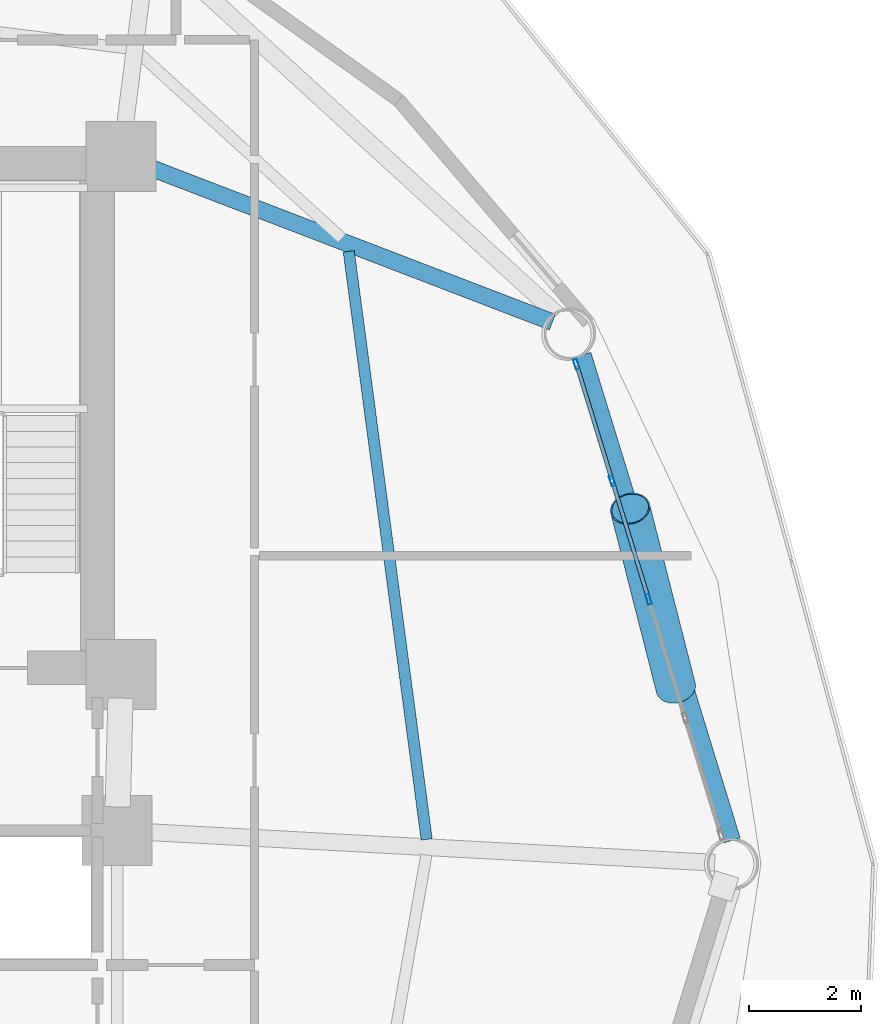
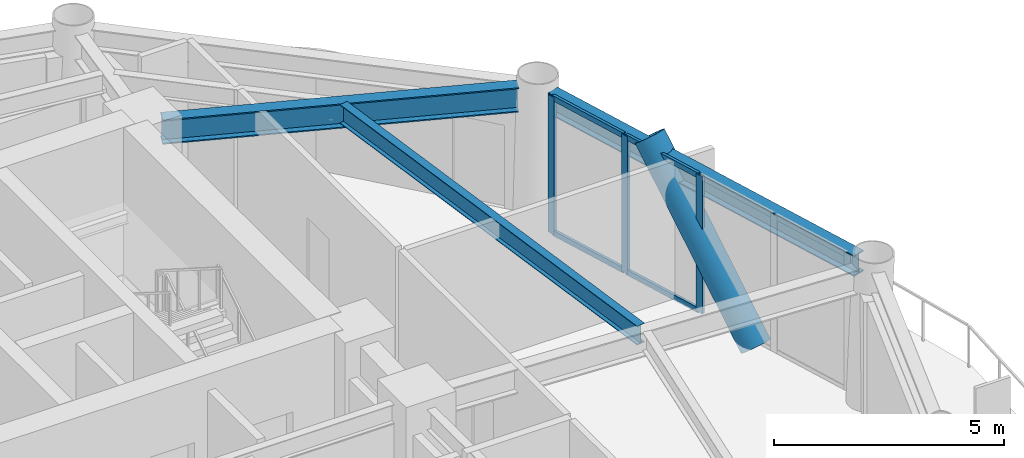
# One storey, part 15 of 24: 8 members, 3 beams, 1 element without a shape of its own.
"""IFC4 building model written with IfcOpenShell, lengths in metres."""

from ifc_helpers import new_model, si_unit, direction, frame, origin, origin_2d, place, context, subcontext, project, spatial, hollow_rectangle, hollow_circle, i_section, extrude, material, layer, layer_set, material_profile, profile_set, type_object, element, aggregate, save


model = new_model("IFC4")

# Units and contexts
model_context = context("Model", 3, precision=1e-05, world=origin(), true_north=direction((0.0, 1.0)))
body_context = subcontext(model_context, "Body", "Model", "MODEL_VIEW")
ifc_project = project(units=[si_unit("LENGTHUNIT", "METRE"), si_unit("AREAUNIT", "SQUARE_METRE"), si_unit("VOLUMEUNIT", "CUBIC_METRE"), si_unit("PLANEANGLEUNIT", "RADIAN"), si_unit("MASSUNIT", "GRAM", prefix="KILO")], contexts=[model_context])

# Site, building, storey
site_placement = place(None, origin())
site = spatial("IfcSite", under=ifc_project, at=site_placement, CompositionType="ELEMENT")
building_placement = place(site_placement, origin())
building = spatial("IfcBuilding", under=site, at=building_placement, Name="Varnakorn Sky Granary", CompositionType="ELEMENT")
storey_placement = place(building_placement, frame((0.0, 0.0, 43.199951171875)))
storey = spatial("IfcBuildingStorey", under=building, at=storey_placement, Name="L10", CompositionType="ELEMENT", Elevation=43.199951171875)

# Beams
ifc_material_1 = material(Name="Steel S355JR", Category="steel")
ifc_material_profile_1 = material_profile(ifc_material_1, i_section(OverallWidth=0.300048828125, OverallDepth=0.64990234375, WebThickness=0.01611328125, FlangeThickness=0.031005859375, at=origin_2d()), Name="HE 650 B")
ifc_profile_set_1 = profile_set([ifc_material_profile_1], Name="Steel S355JR")
beam_type_1 = type_object("IfcBeamType", Name="BM-RAD-Z1", PredefinedType="BEAM", material=ifc_profile_set_1)
beam_1_placement = place(storey_placement, frame((8.81201171875, 12.469482421875, 3.31494140625), z_axis=(0.933555418605, -0.358433090539, 0.0), x_axis=(0.358433090539, 0.933555418605, 0.0)))
element("IfcBeam", 1, at=beam_1_placement, inside=storey, type_object=beam_type_1, Name="Radial Floor Girder RG02 L10", PredefinedType="BEAM", context=body_context, shape_type="SweptSolid", body=[
    extrude(i_section(OverallWidth=0.300048828125, OverallDepth=0.64990234375, WebThickness=0.01611328125, FlangeThickness=0.031005859375, at=origin_2d()), origin(), (0.0, 0.0, 1.0), 7.821533203125),
])
ifc_material_profile_2 = material_profile(ifc_material_1, i_section(OverallWidth=0.199951171875, OverallDepth=0.5, WebThickness=0.01025390625, FlangeThickness=0.01611328125, at=origin_2d()), Name="IPE 500")
ifc_profile_set_2 = profile_set([ifc_material_profile_2], Name="Steel S355JR")
beam_type_2 = type_object("IfcBeamType", Name="BM-SEC-Z1", PredefinedType="BEAM", material=ifc_profile_set_2)
beam_2_placement = place(storey_placement, frame((13.87060546875, 0.439453125, 3.39013671875), z_axis=(-0.131309759975, 0.991341387684, 0.0), x_axis=(-0.991341387684, -0.131309759975, 0.0)))
element("IfcBeam", 2, at=beam_2_placement, inside=storey, type_object=beam_type_2, Name="Secondary Floor Chord Beam MSB01 L10", PredefinedType="BEAM", context=body_context, shape_type="SweptSolid", body=[
    extrude(i_section(OverallWidth=0.199951171875, OverallDepth=0.5, WebThickness=0.01025390625, FlangeThickness=0.01611328125, at=origin_2d()), origin(), (0.0, 0.0, 1.0), 10.5810546875),
])
ifc_material_profile_3 = material_profile(ifc_material_1, i_section(OverallWidth=0.300048828125, OverallDepth=0.550048828125, WebThickness=0.014892578125, FlangeThickness=0.029052734375, at=origin_2d()), Name="HE 550 B")
ifc_profile_set_3 = profile_set([ifc_material_profile_3], Name="Steel S355JR")
beam_type_3 = type_object("IfcBeamType", Name="BM-SPD-Z1", PredefinedType="SPANDREL", material=ifc_profile_set_3)
beam_3_placement = place(storey_placement, frame((19.320068359375, 0.422607421875, 3.364990234375), z_axis=(-0.293932510613, 0.95582617625, 0.0), x_axis=(-0.95582617625, -0.293932510613, 0.0)))
element("IfcBeam", 3, at=beam_3_placement, inside=storey, type_object=beam_type_3, Name="Perimeter Spandrel Ring Beam RB01 L10", PredefinedType="SPANDREL", context=body_context, shape_type="SweptSolid", body=[
    extrude(i_section(OverallWidth=0.300048828125, OverallDepth=0.550048828125, WebThickness=0.014892578125, FlangeThickness=0.029052734375, at=origin_2d()), origin(), (0.0, 0.0, 1.0), 9.062744140625),
])

# Curtain wall, members
ifc_material_2 = material(Name="Anodised Bronze Aluminium Alloy 6063-T6", Category="aluminium")
ifc_layer = layer(ifc_material_2, 0.18994140625, Name="Anodised Bronze Aluminium Alloy 6063-T6")
ifc_layer_set = layer_set([ifc_layer], Name="Anodised Bronze Aluminium Alloy 6063-T6")
curtain_wall_type = type_object("IfcCurtainWallType", Name="CW-FRM-1", PredefinedType="USERDEFINED", material=ifc_layer_set)
curtain_wall_placement = place(storey_placement, origin())
curtain_wall = element("IfcCurtainWall", 4, at=curtain_wall_placement, inside=storey, type_object=curtain_wall_type, Name="Unitised Curtain Wall CW3 CW-L10-B01", ObjectType="CURTAIN WALL", PredefinedType="USERDEFINED")
ifc_material_profile_4 = material_profile(ifc_material_2, hollow_rectangle(XDim=0.070068359375, YDim=0.18505859375, WallThickness=0.00390625, at=origin_2d()), Name="ALU MULL 70x185")
ifc_profile_set_4 = profile_set([ifc_material_profile_4], Name="Anodised Bronze Aluminium Alloy 6063-T6")
member_type_1 = type_object("IfcMemberType", Name="CW-FRM-1-MULL", PredefinedType="MULLION", material=ifc_profile_set_4)
member_1_placement = place(storey_placement, frame((16.54296875, 8.914306640625, 0.0), z_axis=(0.0, 0.0, 1.0), x_axis=(0.955890425836, 0.293723498881, 0.0)))
member_1 = element("IfcMember", 5, at=member_1_placement, type_object=member_type_1, Name="CW3 mullion 1", PredefinedType="MULLION", context=body_context, shape_type="SweptSolid", body=[
    extrude(hollow_rectangle(XDim=0.070068359375, YDim=0.18505859375, WallThickness=0.00390625, at=origin_2d()), origin(), (0.0, 0.0, 1.0), 3.64013671875),
])
member_2_placement = place(storey_placement, frame((17.181884765625, 6.83447265625, 0.0), z_axis=(0.0, 0.0, 1.0), x_axis=(0.955890425836, 0.293723498881, 0.0)))
member_2 = element("IfcMember", 6, at=member_2_placement, type_object=member_type_1, Name="CW3 mullion 2", PredefinedType="MULLION", context=body_context, shape_type="SweptSolid", body=[
    extrude(hollow_rectangle(XDim=0.070068359375, YDim=0.18505859375, WallThickness=0.00390625, at=origin_2d()), origin(), (0.0, 0.0, 1.0), 3.64013671875),
])
member_3_placement = place(storey_placement, frame((17.831298828125, 4.720947265625, 0.0), z_axis=(0.0, 0.0, 1.0), x_axis=(0.955890425836, 0.293723498881, 0.0)))
member_3 = element("IfcMember", 7, at=member_3_placement, type_object=member_type_1, Name="CW3 mullion 3", PredefinedType="MULLION", context=body_context, shape_type="SweptSolid", body=[
    extrude(hollow_rectangle(XDim=0.070068359375, YDim=0.18505859375, WallThickness=0.00390625, at=origin_2d()), origin(), (0.0, 0.0, 1.0), 3.64013671875),
])
ifc_material_profile_5 = material_profile(ifc_material_2, hollow_rectangle(XDim=0.070068359375, YDim=0.139892578125, WallThickness=0.00341796875, at=origin_2d()), Name="ALU TRAN 70x140")
ifc_profile_set_5 = profile_set([ifc_material_profile_5], Name="Anodised Bronze Aluminium Alloy 6063-T6")
member_type_2 = type_object("IfcMemberType", Name="CW-FRM-1-TRAN", PredefinedType="USERDEFINED", material=ifc_profile_set_5)
member_4_placement = place(storey_placement, frame((16.55322265625, 8.880859375, 0.03515625), z_axis=(0.293670325214, -0.955906763282, 0.0), x_axis=(0.955906763282, 0.293670325214, 0.0)))
member_4 = element("IfcMember", 8, at=member_4_placement, type_object=member_type_2, Name="CW3 transom 1.1", ObjectType="TRANSOM", PredefinedType="USERDEFINED", context=body_context, shape_type="SweptSolid", body=[
    extrude(hollow_rectangle(XDim=0.070068359375, YDim=0.139892578125, WallThickness=0.00341796875, at=origin_2d()), origin(), (0.0, 0.0, 1.0), 2.105712890625),
])
member_5_placement = place(storey_placement, frame((16.55322265625, 8.880859375, 3.60498046875), z_axis=(0.293670325214, -0.955906763282, 0.0), x_axis=(0.955906763282, 0.293670325214, 0.0)))
member_5 = element("IfcMember", 9, at=member_5_placement, type_object=member_type_2, Name="CW3 transom 1.2", ObjectType="TRANSOM", PredefinedType="USERDEFINED", context=body_context, shape_type="SweptSolid", body=[
    extrude(hollow_rectangle(XDim=0.070068359375, YDim=0.139892578125, WallThickness=0.00341796875, at=origin_2d()), origin(), (0.0, 0.0, 1.0), 2.105712890625),
])
member_6_placement = place(storey_placement, frame((17.1923828125, 6.801025390625, 0.03515625), z_axis=(0.29362907604, -0.955919434735, 0.0), x_axis=(0.955919434735, 0.29362907604, 0.0)))
member_6 = element("IfcMember", 10, at=member_6_placement, type_object=member_type_2, Name="CW3 transom 2.1", ObjectType="TRANSOM", PredefinedType="USERDEFINED", context=body_context, shape_type="SweptSolid", body=[
    extrude(hollow_rectangle(XDim=0.070068359375, YDim=0.139892578125, WallThickness=0.00341796875, at=origin_2d()), origin(), (0.0, 0.0, 1.0), 2.14111328125),
])
member_7_placement = place(storey_placement, frame((17.1923828125, 6.801025390625, 3.60498046875), z_axis=(0.29362907604, -0.955919434735, 0.0), x_axis=(0.955919434735, 0.29362907604, 0.0)))
member_7 = element("IfcMember", 11, at=member_7_placement, type_object=member_type_2, Name="CW3 transom 2.2", ObjectType="TRANSOM", PredefinedType="USERDEFINED", context=body_context, shape_type="SweptSolid", body=[
    extrude(hollow_rectangle(XDim=0.070068359375, YDim=0.139892578125, WallThickness=0.00341796875, at=origin_2d()), origin(), (0.0, 0.0, 1.0), 2.14111328125),
])
aggregate(curtain_wall, [member_1, member_2, member_3, member_4, member_5, member_6, member_7])

# Member
ifc_material_3 = material(Name="Steel S460M", Category="steel")
ifc_material_profile_6 = material_profile(ifc_material_3, hollow_circle(Radius=0.35546875, WallThickness=0.02490234375, at=origin_2d()), Name="CHS 711x25")
ifc_profile_set_6 = profile_set([ifc_material_profile_6], Name="Steel S460M")
member_type_3 = type_object("IfcMemberType", Name="MB-DIAG-T0", PredefinedType="BRACE", material=ifc_profile_set_6)
member_8_placement = place(storey_placement, frame((18.31494140625, 3.147216796875, -0.1298828125), z_axis=(-0.158985265982, 0.623304262642, 0.765647099761), x_axis=(-0.968975905399, -0.247155203779, 0.0)))
element("IfcMember", 12, at=member_8_placement, inside=storey, type_object=member_type_3, Name="Perimeter CHS Diagrid Brace DG01 L10", PredefinedType="BRACE", context=body_context, shape_type="SweptSolid", body=[
    extrude(hollow_circle(Radius=0.35546875, WallThickness=0.02490234375, at=origin_2d()), origin(), (0.0, 0.0, 1.0), 5.11962890625),
])

save(model, "model.ifc")
